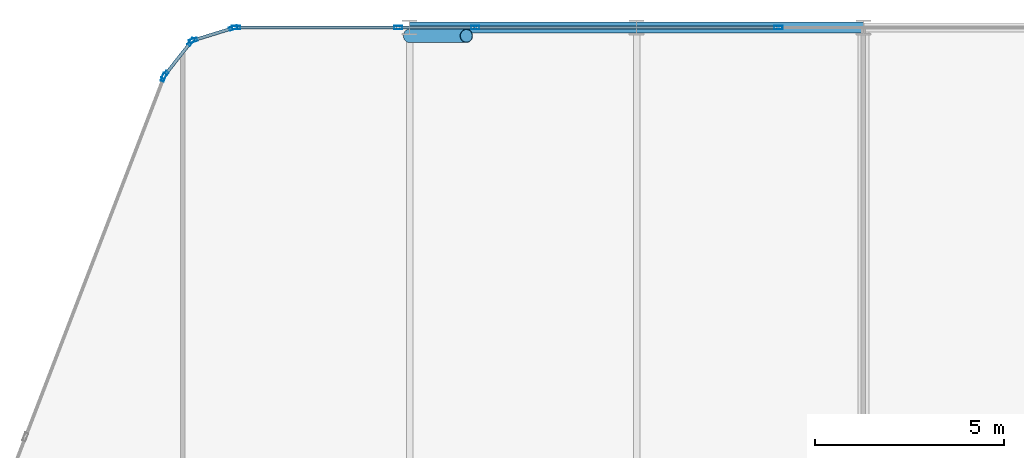
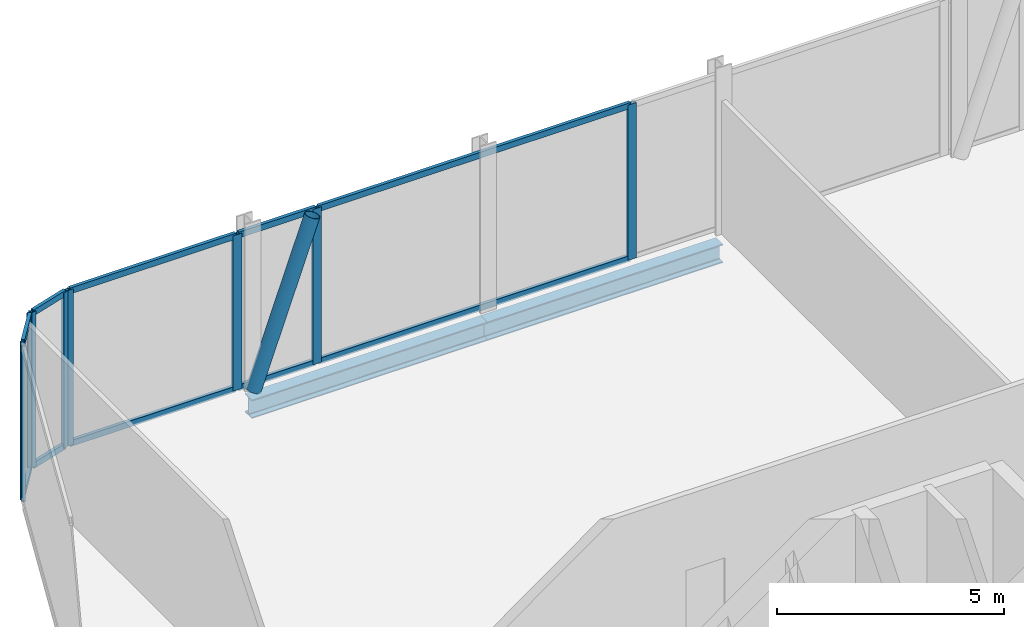
# One storey, part 14 of 30: 20 members, 2 beams, 6 elements without a shape of their own.
"""IFC4 building model written with IfcOpenShell, lengths in metres."""

from ifc_helpers import new_model, si_unit, direction, frame, origin, origin_2d, place, context, subcontext, project, spatial, hollow_rectangle, hollow_circle, i_section, extrude, material, layer, layer_set, material_profile, profile_set, type_object, element, aggregate, save


model = new_model("IFC4")

# Units and contexts
model_context = context("Model", 3, precision=1e-05, world=origin(), true_north=direction((0.0, 1.0)))
body_context = subcontext(model_context, "Body", "Model", "MODEL_VIEW")
ifc_project = project(units=[si_unit("LENGTHUNIT", "METRE"), si_unit("AREAUNIT", "SQUARE_METRE"), si_unit("VOLUMEUNIT", "CUBIC_METRE"), si_unit("PLANEANGLEUNIT", "RADIAN"), si_unit("MASSUNIT", "GRAM", prefix="KILO")], contexts=[model_context])

# Site, building, storey
site_placement = place(None, origin())
site = spatial("IfcSite", under=ifc_project, at=site_placement, CompositionType="ELEMENT")
building_placement = place(site_placement, origin())
building = spatial("IfcBuilding", under=site, at=building_placement, Name="Keshet Zoharim Tower", CompositionType="ELEMENT")
storey_placement = place(building_placement, frame((0.0, 0.0, 65.60009765625)))
storey = spatial("IfcBuildingStorey", under=building, at=storey_placement, Name="L15", CompositionType="ELEMENT", Elevation=65.60009765625)

# Beams
ifc_material_1 = material(Name="Steel S355", Category="steel")
ifc_material_profile_1 = material_profile(ifc_material_1, i_section(OverallWidth=0.300048828125, OverallDepth=0.5, WebThickness=0.014404296875, FlangeThickness=0.028076171875, FilletRadius=0.027099609375, at=origin_2d()), Name="HEB500")
ifc_profile_set_1 = profile_set([ifc_material_profile_1], Name="Steel S355")
beam_type = type_object("IfcBeamType", Name="BM-WEB-HB500", PredefinedType="BEAM", material=ifc_profile_set_1)
for number, where, z_axis, x_axis, name in (
    (1, (21.0, 53.89990234375, -0.570068359375), (1.0, 0.0, 0.0), (0.0, 1.0, 0.0), "L15 Primary Girder X-026"),
    (2, (27.0, 53.89990234375, -0.570068359375), (1.0, 0.0, 0.0), (0.0, 1.0, 0.0), "L15 Primary Girder X-027"),
):
    element("IfcBeam", number, at=place(storey_placement, frame(where, z_axis=z_axis, x_axis=x_axis)), inside=storey, type_object=beam_type, Name=name, PredefinedType="BEAM", context=body_context, shape_type="SweptSolid", body=[
        extrude(i_section(OverallWidth=0.300048828125, OverallDepth=0.5, WebThickness=0.014404296875, FlangeThickness=0.028076171875, FilletRadius=0.027099609375, at=origin_2d()), origin(), (0.0, 0.0, 1.0), 6.0),
    ])

# Curtain wall, member
ifc_material_2 = material(Name="Aluminium 6063-T6", Category="aluminium")
ifc_layer_1 = layer(ifc_material_2, 0.179931640625)
ifc_layer_set_1 = layer_set([ifc_layer_1], Name="Aluminium 6063-T6")
curtain_wall_type_1 = type_object("IfcCurtainWallType", Name="CW-SYS-01", PredefinedType="NOTDEFINED", material=ifc_layer_set_1)
curtain_wall_1_placement = place(storey_placement, origin())
curtain_wall_1 = element("IfcCurtainWall", 3, at=curtain_wall_1_placement, inside=storey, type_object=curtain_wall_type_1, Name="L15 Unitised Curtain Wall 01", PredefinedType="NOTDEFINED")
ifc_material_profile_2 = material_profile(ifc_material_2, hollow_rectangle(XDim=0.090087890625, YDim=0.219970703125, WallThickness=0.0048828125, at=origin_2d()), Name="MUL-90x220")
ifc_profile_set_2 = profile_set([ifc_material_profile_2], Name="Aluminium 6063-T6")
member_type_1 = type_object("IfcMemberType", Name="CWM-M22", PredefinedType="MULLION", material=ifc_profile_set_2)
member_1_placement = place(storey_placement, frame((14.494384765625, 52.58544921875, 0.0), z_axis=(0.0, 0.0, 1.0), x_axis=(-0.933341404361, 0.358990003907, 0.0)))
member_1 = element("IfcMember", 4, at=member_1_placement, type_object=member_type_1, Name="CW-01 mullion 4", PredefinedType="MULLION", context=body_context, shape_type="SweptSolid", body=[
    extrude(hollow_rectangle(XDim=0.090087890625, YDim=0.219970703125, WallThickness=0.0048828125, at=origin_2d()), origin(), (0.0, 0.0, 1.0), 4.184814453125),
])
aggregate(curtain_wall_1, [member_1])

# Curtain wall, members
curtain_wall_2_placement = place(storey_placement, origin())
curtain_wall_2 = element("IfcCurtainWall", 5, at=curtain_wall_2_placement, inside=storey, type_object=curtain_wall_type_1, Name="L15 Unitised Curtain Wall 02", PredefinedType="NOTDEFINED")
member_2_placement = place(storey_placement, frame((14.528564453125, 52.6455078125, 0.0), z_axis=(0.0, 0.0, 1.0), x_axis=(-0.785292825205, 0.619124525989, 0.0)))
member_2 = element("IfcMember", 6, at=member_2_placement, type_object=member_type_1, Name="CW-01 mullion 1", PredefinedType="MULLION", context=body_context, shape_type="SweptSolid", body=[
    extrude(hollow_rectangle(XDim=0.090087890625, YDim=0.219970703125, WallThickness=0.0048828125, at=origin_2d()), origin(), (0.0, 0.0, 1.0), 4.184814453125),
])
member_3_placement = place(storey_placement, frame((15.21923828125, 53.521484375, 0.0), z_axis=(0.0, 0.0, 1.0), x_axis=(-0.785292825205, 0.619124525989, 0.0)))
member_3 = element("IfcMember", 7, at=member_3_placement, type_object=member_type_1, Name="CW-01 mullion 2", PredefinedType="MULLION", context=body_context, shape_type="SweptSolid", body=[
    extrude(hollow_rectangle(XDim=0.090087890625, YDim=0.219970703125, WallThickness=0.0048828125, at=origin_2d()), origin(), (0.0, 0.0, 1.0), 4.184814453125),
])

curtain_wall_3_placement = place(storey_placement, origin())
curtain_wall_3 = element("IfcCurtainWall", 8, at=curtain_wall_3_placement, inside=storey, type_object=curtain_wall_type_1, Name="L15 Unitised Curtain Wall 03", PredefinedType="NOTDEFINED")
member_4_placement = place(storey_placement, frame((15.2744140625, 53.559326171875, 0.0), z_axis=(0.0, 0.0, 1.0), x_axis=(-0.295921857984, 0.955212151288, 0.0)))
member_4 = element("IfcMember", 9, at=member_4_placement, type_object=member_type_1, Name="CW-01 mullion 1", PredefinedType="MULLION", context=body_context, shape_type="SweptSolid", body=[
    extrude(hollow_rectangle(XDim=0.090087890625, YDim=0.219970703125, WallThickness=0.0048828125, at=origin_2d()), origin(), (0.0, 0.0, 1.0), 4.184814453125),
])
member_5_placement = place(storey_placement, frame((16.340576171875, 53.8896484375, 0.0), z_axis=(0.0, 0.0, 1.0), x_axis=(-0.295921857984, 0.955212151288, 0.0)))
member_5 = element("IfcMember", 10, at=member_5_placement, type_object=member_type_1, Name="CW-01 mullion 2", PredefinedType="MULLION", context=body_context, shape_type="SweptSolid", body=[
    extrude(hollow_rectangle(XDim=0.090087890625, YDim=0.219970703125, WallThickness=0.0048828125, at=origin_2d()), origin(), (0.0, 0.0, 1.0), 4.184814453125),
])

ifc_layer_2 = layer(ifc_material_2, 0.169921875)
ifc_layer_set_2 = layer_set([ifc_layer_2], Name="Aluminium 6063-T6")
curtain_wall_type_2 = type_object("IfcCurtainWallType", Name="CW-SYS-02", PredefinedType="NOTDEFINED", material=ifc_layer_set_2)
curtain_wall_4_placement = place(storey_placement, origin())
curtain_wall_4 = element("IfcCurtainWall", 11, at=curtain_wall_4_placement, inside=storey, type_object=curtain_wall_type_2, Name="L15 Unitised Curtain Wall 04", PredefinedType="NOTDEFINED")
member_6_placement = place(storey_placement, frame((16.408935546875, 53.89990234375, 0.0), z_axis=(0.0, 0.0, 1.0), x_axis=(0.0, 1.0, 0.0)))
member_6 = element("IfcMember", 12, at=member_6_placement, type_object=member_type_1, Name="CW-02 mullion 1", PredefinedType="MULLION", context=body_context, shape_type="SweptSolid", body=[
    extrude(hollow_rectangle(XDim=0.090087890625, YDim=0.219970703125, WallThickness=0.0048828125, at=origin_2d()), origin(), (0.0, 0.0, 1.0), 4.184814453125),
])
member_7_placement = place(storey_placement, frame((20.697509765625, 53.89990234375, 0.0), z_axis=(0.0, 0.0, 1.0), x_axis=(0.0, 1.0, 0.0)))
member_7 = element("IfcMember", 13, at=member_7_placement, type_object=member_type_1, Name="CW-02 mullion 2", PredefinedType="MULLION", context=body_context, shape_type="SweptSolid", body=[
    extrude(hollow_rectangle(XDim=0.090087890625, YDim=0.219970703125, WallThickness=0.0048828125, at=origin_2d()), origin(), (0.0, 0.0, 1.0), 4.184814453125),
])

# Curtain wall, member
curtain_wall_5_placement = place(storey_placement, origin())
curtain_wall_5 = element("IfcCurtainWall", 14, at=curtain_wall_5_placement, inside=storey, type_object=curtain_wall_type_2, Name="L15 Unitised Curtain Wall 04 Part 2", PredefinedType="NOTDEFINED")
member_8_placement = place(storey_placement, frame((22.732421875, 53.89990234375, 0.0), z_axis=(0.0, 0.0, 1.0), x_axis=(0.0, 1.0, 0.0)))
member_8 = element("IfcMember", 15, at=member_8_placement, type_object=member_type_1, Name="CW-02 mullion 2", PredefinedType="MULLION", context=body_context, shape_type="SweptSolid", body=[
    extrude(hollow_rectangle(XDim=0.090087890625, YDim=0.219970703125, WallThickness=0.0048828125, at=origin_2d()), origin(), (0.0, 0.0, 1.0), 4.184814453125),
])

curtain_wall_6_placement = place(storey_placement, origin())
curtain_wall_6 = element("IfcCurtainWall", 16, at=curtain_wall_6_placement, inside=storey, type_object=curtain_wall_type_2, Name="L15 Unitised Curtain Wall 04 Part 3", PredefinedType="NOTDEFINED")
member_9_placement = place(storey_placement, frame((30.75, 53.89990234375, 0.0), z_axis=(0.0, 0.0, 1.0), x_axis=(0.0, 1.0, 0.0)))
member_9 = element("IfcMember", 17, at=member_9_placement, type_object=member_type_1, Name="CW-02 mullion 2", PredefinedType="MULLION", context=body_context, shape_type="SweptSolid", body=[
    extrude(hollow_rectangle(XDim=0.090087890625, YDim=0.219970703125, WallThickness=0.0048828125, at=origin_2d()), origin(), (0.0, 0.0, 1.0), 4.184814453125),
])

# Member
ifc_material_profile_3 = material_profile(ifc_material_2, hollow_rectangle(XDim=0.0849609375, YDim=0.159912109375, WallThickness=0.00439453125, at=origin_2d()), Name="TRN-85x160")
ifc_profile_set_3 = profile_set([ifc_material_profile_3], Name="Aluminium 6063-T6")
member_type_2 = type_object("IfcMemberType", Name="CWT-T16", PredefinedType="USERDEFINED", material=ifc_profile_set_3)
member_10_placement = place(storey_placement, frame((14.55029296875, 52.6728515625, 0.034912109375), z_axis=(0.619099165969, 0.78531281837, 0.0), x_axis=(-0.78531281837, 0.619099165969, 0.0)))
member_10 = element("IfcMember", 18, at=member_10_placement, type_object=member_type_2, Name="CW-01 transom 1.1", ObjectType="TRANSOM", PredefinedType="USERDEFINED", context=body_context, shape_type="SweptSolid", body=[
    extrude(hollow_rectangle(XDim=0.0849609375, YDim=0.159912109375, WallThickness=0.00439453125, at=origin_2d()), origin(), (0.0, 0.0, 1.0), 1.0458984375),
])

member_11_placement = place(storey_placement, frame((14.55029296875, 52.6728515625, 4.14990234375), z_axis=(0.619099165969, 0.78531281837, 0.0), x_axis=(-0.78531281837, 0.619099165969, 0.0)))
member_11 = element("IfcMember", 19, at=member_11_placement, type_object=member_type_2, Name="CW-01 transom 1.2", ObjectType="TRANSOM", PredefinedType="USERDEFINED", context=body_context, shape_type="SweptSolid", body=[
    extrude(hollow_rectangle(XDim=0.0849609375, YDim=0.159912109375, WallThickness=0.00439453125, at=origin_2d()), origin(), (0.0, 0.0, 1.0), 1.0458984375),
])

aggregate(curtain_wall_2, [member_2, member_3, member_10, member_11])

member_12_placement = place(storey_placement, frame((15.307861328125, 53.56982421875, 0.034912109375), z_axis=(0.955212093062, 0.295922045933, 0.0), x_axis=(-0.295922045933, 0.955212093062, 0.0)))
member_12 = element("IfcMember", 20, at=member_12_placement, type_object=member_type_2, Name="CW-01 transom 1.1", ObjectType="TRANSOM", PredefinedType="USERDEFINED", context=body_context, shape_type="SweptSolid", body=[
    extrude(hollow_rectangle(XDim=0.0849609375, YDim=0.159912109375, WallThickness=0.00439453125, at=origin_2d()), origin(), (0.0, 0.0, 1.0), 1.046142578125),
])

member_13_placement = place(storey_placement, frame((15.307861328125, 53.56982421875, 4.14990234375), z_axis=(0.955212093062, 0.295922045933, 0.0), x_axis=(-0.295922045933, 0.955212093062, 0.0)))
member_13 = element("IfcMember", 21, at=member_13_placement, type_object=member_type_2, Name="CW-01 transom 1.2", ObjectType="TRANSOM", PredefinedType="USERDEFINED", context=body_context, shape_type="SweptSolid", body=[
    extrude(hollow_rectangle(XDim=0.0849609375, YDim=0.159912109375, WallThickness=0.00439453125, at=origin_2d()), origin(), (0.0, 0.0, 1.0), 1.046142578125),
])

aggregate(curtain_wall_3, [member_4, member_5, member_12, member_13])

member_14_placement = place(storey_placement, frame((16.444091796875, 53.89990234375, 0.034912109375), z_axis=(1.0, 0.0, 0.0), x_axis=(0.0, 1.0, 0.0)))
member_14 = element("IfcMember", 22, at=member_14_placement, type_object=member_type_2, Name="CW-02 transom 1.1", ObjectType="TRANSOM", PredefinedType="USERDEFINED", context=body_context, shape_type="SweptSolid", body=[
    extrude(hollow_rectangle(XDim=0.0849609375, YDim=0.159912109375, WallThickness=0.00439453125, at=origin_2d()), origin(), (0.0, 0.0, 1.0), 4.218505859375),
])

member_15_placement = place(storey_placement, frame((16.444091796875, 53.89990234375, 4.14990234375), z_axis=(1.0, 0.0, 0.0), x_axis=(0.0, 1.0, 0.0)))
member_15 = element("IfcMember", 23, at=member_15_placement, type_object=member_type_2, Name="CW-02 transom 1.2", ObjectType="TRANSOM", PredefinedType="USERDEFINED", context=body_context, shape_type="SweptSolid", body=[
    extrude(hollow_rectangle(XDim=0.0849609375, YDim=0.159912109375, WallThickness=0.00439453125, at=origin_2d()), origin(), (0.0, 0.0, 1.0), 4.218505859375),
])

aggregate(curtain_wall_4, [member_6, member_7, member_14, member_15])

member_16_placement = place(storey_placement, frame((20.732666015625, 53.89990234375, 0.034912109375), z_axis=(1.0, 0.0, 0.0), x_axis=(0.0, 1.0, 0.0)))
member_16 = element("IfcMember", 24, at=member_16_placement, type_object=member_type_2, Name="CW-02 transom 1.1", ObjectType="TRANSOM", PredefinedType="USERDEFINED", context=body_context, shape_type="SweptSolid", body=[
    extrude(hollow_rectangle(XDim=0.0849609375, YDim=0.159912109375, WallThickness=0.00439453125, at=origin_2d()), origin(), (0.0, 0.0, 1.0), 1.96484375),
])

member_17_placement = place(storey_placement, frame((20.732666015625, 53.89990234375, 4.14990234375), z_axis=(1.0, 0.0, 0.0), x_axis=(0.0, 1.0, 0.0)))
member_17 = element("IfcMember", 25, at=member_17_placement, type_object=member_type_2, Name="CW-02 transom 1.2", ObjectType="TRANSOM", PredefinedType="USERDEFINED", context=body_context, shape_type="SweptSolid", body=[
    extrude(hollow_rectangle(XDim=0.0849609375, YDim=0.159912109375, WallThickness=0.00439453125, at=origin_2d()), origin(), (0.0, 0.0, 1.0), 1.96484375),
])

aggregate(curtain_wall_5, [member_8, member_16, member_17])

member_18_placement = place(storey_placement, frame((22.767333984375, 53.89990234375, 0.034912109375), z_axis=(1.0, 0.0, 0.0), x_axis=(0.0, 1.0, 0.0)))
member_18 = element("IfcMember", 26, at=member_18_placement, type_object=member_type_2, Name="CW-02 transom 1.1", ObjectType="TRANSOM", PredefinedType="USERDEFINED", context=body_context, shape_type="SweptSolid", body=[
    extrude(hollow_rectangle(XDim=0.0849609375, YDim=0.159912109375, WallThickness=0.00439453125, at=origin_2d()), origin(), (0.0, 0.0, 1.0), 7.94775390625),
])

member_19_placement = place(storey_placement, frame((22.767333984375, 53.89990234375, 4.14990234375), z_axis=(1.0, 0.0, 0.0), x_axis=(0.0, 1.0, 0.0)))
member_19 = element("IfcMember", 27, at=member_19_placement, type_object=member_type_2, Name="CW-02 transom 1.2", ObjectType="TRANSOM", PredefinedType="USERDEFINED", context=body_context, shape_type="SweptSolid", body=[
    extrude(hollow_rectangle(XDim=0.0849609375, YDim=0.159912109375, WallThickness=0.00439453125, at=origin_2d()), origin(), (0.0, 0.0, 1.0), 7.94775390625),
])

aggregate(curtain_wall_6, [member_9, member_18, member_19])

ifc_material_profile_4 = material_profile(ifc_material_1, hollow_circle(Radius=0.177734375, WallThickness=0.012451171875, at=origin_2d()), Name="CHS355x12.5")
ifc_profile_set_4 = profile_set([ifc_material_profile_4], Name="Steel S355")
member_type_3 = type_object("IfcMemberType", Name="MB-BR-C355", PredefinedType="BRACE", material=ifc_profile_set_4)
member_20_placement = place(storey_placement, frame((21.0, 53.679931640625, 0.0), z_axis=(0.337418140419, 0.0, 0.941354873847), x_axis=(0.0, 1.0, 0.0)))
element("IfcMember", 28, at=member_20_placement, inside=storey, type_object=member_type_3, Name="L15 Perimeter Tube Brace 01", PredefinedType="BRACE", context=body_context, shape_type="SweptSolid", body=[
    extrude(hollow_circle(Radius=0.177734375, WallThickness=0.012451171875, at=origin_2d()), origin(), (0.0, 0.0, 1.0), 4.445556640625),
])

save(model, "model.ifc")
